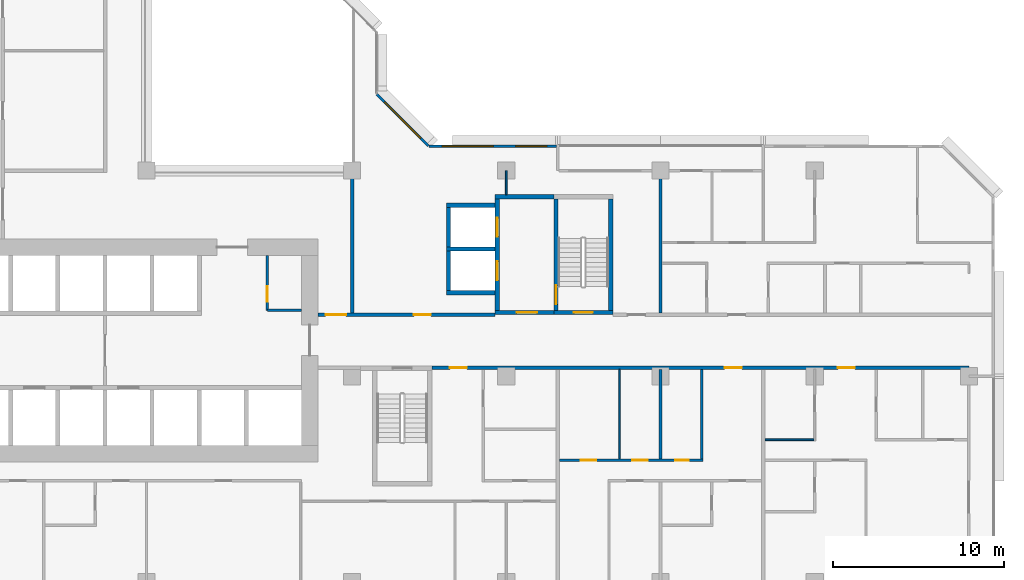
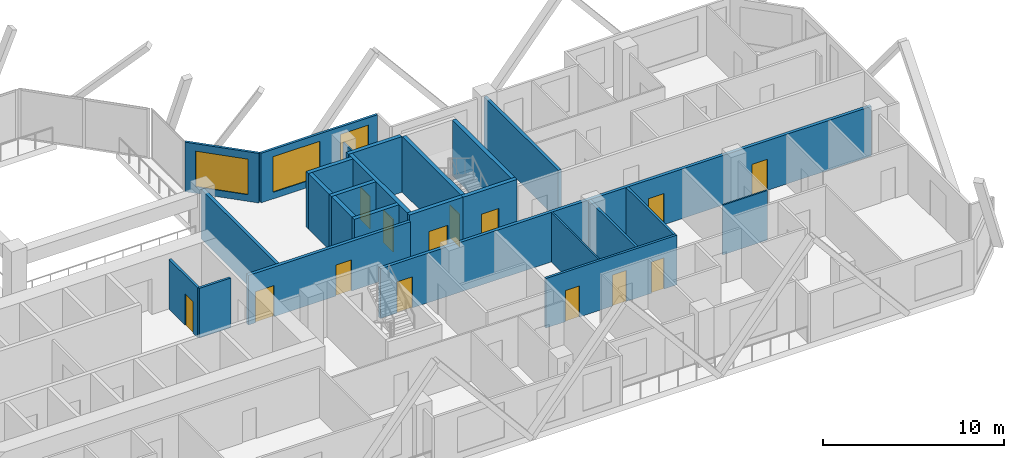
# One storey, part 7 of 15: 25 walls, 14 doors, 3 windows, 17 openings.
"""IFC4 building model written with IfcOpenShell, lengths in metres."""

from ifc_helpers import new_model, si_unit, direction, frame, frame_2d, origin, place, context, subcontext, project, spatial, rectangle, extrude, material, layer, layer_set, type_object, element, fill, save


model = new_model("IFC4")

# Units and contexts
model_context = context("Model", 3, precision=1e-05, world=origin(), true_north=direction((0.0, 1.0)))
body_context = subcontext(model_context, "Body", "Model", "MODEL_VIEW")
ifc_project = project(units=[si_unit("LENGTHUNIT", "METRE"), si_unit("AREAUNIT", "SQUARE_METRE"), si_unit("VOLUMEUNIT", "CUBIC_METRE"), si_unit("PLANEANGLEUNIT", "RADIAN"), si_unit("MASSUNIT", "GRAM", prefix="KILO")], contexts=[model_context])

# Site, building, storey
site_placement = place(None, origin())
site = spatial("IfcSite", under=ifc_project, at=site_placement, CompositionType="ELEMENT")
building_placement = place(site_placement, origin())
building = spatial("IfcBuilding", under=site, at=building_placement, Name="Chenar Terraces", CompositionType="ELEMENT")
storey_placement = place(building_placement, frame((0.0, 0.0, 106.89990234375)))
storey = spatial("IfcBuildingStorey", under=building, at=storey_placement, Name="L24", CompositionType="ELEMENT", Elevation=106.89990234375)

# Wall, opening, door
ifc_material_1 = material(Name="Gypsum board on steel studs", Category="steel")
ifc_layer_1 = layer(ifc_material_1, 0.14990234375)
ifc_layer_set_1 = layer_set([ifc_layer_1], Name="Gypsum board on steel studs")
wall_type_1 = type_object("IfcWallType", Name="Core partition 150 gypsum board", PredefinedType="PARTITIONING", material=ifc_layer_set_1)
wall_1_placement = place(storey_placement, frame((31.050048828125, 15.85009765625, 0.0), z_axis=(0.0, 0.0, 1.0), x_axis=(0.0, 1.0, 0.0)))
wall_1 = element("IfcWall", 1, at=wall_1_placement, inside=storey, type_object=wall_type_1, Name="Core partition CP1 vestibule room west wall", PredefinedType="PARTITIONING", context=body_context, shape_type="SweptSolid", body=[
    extrude(rectangle(XDim=3.199951171875, YDim=0.14990234375, at=frame_2d((1.60009765625, 0.0))), origin(), (0.0, 0.0, 1.0), 3.35009765625),
])
opening_1_placement = place(wall_1_placement, frame((0.5, 0.0, 0.0)))
opening_1 = element("IfcOpeningElement", 2, at=opening_1_placement, cuts=wall_1, Name="Opening DL24-C13", PredefinedType="OPENING", context=body_context, shape_type="SweptSolid", body=[
    extrude(rectangle(XDim=0.89990234375, YDim=2.10009765625, at=frame_2d((0.449951171875, 1.050048828125))), frame((0.0, 0.0849609375, 0.0), z_axis=(0.0, -1.0, 0.0), x_axis=(1.0, 0.0, 0.0)), (0.0, 0.0, 1.0), 0.169921875),
])
ifc_material_2 = material(Name="Steel-framed fire-resisting door leaf", Category="steel")
door_type_1 = type_object("IfcDoorType", Name="Riser fire door FD60 900 x 2100", OperationType="SINGLE_SWING_LEFT", PredefinedType="DOOR", material=ifc_material_2)
door_1_placement = place(opening_1_placement, frame((0.89990234375, 0.0, 0.0), z_axis=(0.0, 0.0, 1.0), x_axis=(-1.0, 0.0, 0.0)))
door_1 = element("IfcDoor", 3, at=door_1_placement, inside=storey, type_object=door_type_1, Name="Core room door DL24-C13", OperationType="SINGLE_SWING_RIGHT", OverallHeight=2.10009765625, OverallWidth=0.89990234375, PredefinedType="DOOR", context=body_context, shape_type="SweptSolid", body=[
    extrude(rectangle(XDim=0.89990234375, YDim=2.10009765625, at=frame_2d((0.449951171875, 1.050048828125))), frame((0.0, 0.02490234375, 0.0), z_axis=(0.0, -1.0, 0.0), x_axis=(1.0, 0.0, 0.0)), (0.0, 0.0, 1.0), 0.050048828125),
])
fill(opening_1, door_1)

# Wall
wall_2_placement = place(storey_placement, frame((31.050048828125, 15.85009765625, 0.0), z_axis=(0.0, 0.0, 1.0), x_axis=(1.0, 0.0, 0.0)))
element("IfcWall", 4, at=wall_2_placement, inside=storey, type_object=wall_type_1, Name="Core partition CP1 vestibule room south wall", PredefinedType="PARTITIONING", context=body_context, shape_type="SweptSolid", body=[
    extrude(rectangle(XDim=2.0, YDim=0.14990234375, at=frame_2d((1.0, 0.0))), origin(), (0.0, 0.0, 1.0), 3.35009765625),
])

# Wall, opening, door
ifc_material_3 = material(Name="Concrete C70/85", Category="concrete")
ifc_layer_2 = layer(ifc_material_3, 0.25)
ifc_layer_set_2 = layer_set([ifc_layer_2], Name="Concrete C70/85")
wall_type_2 = type_object("IfcWallType", Name="Core wall 250 Concrete C70/85", PredefinedType="SHEAR", material=ifc_layer_set_2)
wall_3_placement = place(storey_placement, frame((47.77490234375, 15.72509765625, 0.0), z_axis=(0.0, 0.0, 1.0), x_axis=(1.0, 0.0, 0.0)))
wall_3 = element("IfcWall", 5, at=wall_3_placement, inside=storey, type_object=wall_type_2, Name="Core wall ST3_S L24", PredefinedType="SHEAR", context=body_context, shape_type="SweptSolid", body=[
    extrude(rectangle(XDim=3.4501953125, YDim=0.25, at=frame_2d((1.72509765625, 0.0))), origin(), (0.0, 0.0, 1.0), 3.75),
])
opening_2_placement = place(wall_3_placement, frame((1.175048828125, 0.0, 0.0)))
opening_2 = element("IfcOpeningElement", 6, at=opening_2_placement, cuts=wall_3, Name="Opening DL24-C8", PredefinedType="OPENING", context=body_context, shape_type="SweptSolid", body=[
    extrude(rectangle(XDim=1.10009765625, YDim=2.199951171875, at=frame_2d((0.550048828125, 1.10009765625))), frame((0.0, 0.135009765625, 0.0), z_axis=(0.0, -1.0, 0.0), x_axis=(1.0, 0.0, 0.0)), (0.0, 0.0, 1.0), 0.27001953125),
])
ifc_material_4 = material(Name="Steel-framed fire-resisting door leaf", Category="steel")
door_type_2 = type_object("IfcDoorType", Name="Stair fire door FD60 1100 x 2200", OperationType="SINGLE_SWING_LEFT", PredefinedType="DOOR", material=ifc_material_4)
door_2_placement = place(opening_2_placement, frame((1.10009765625, 0.0, 0.0), z_axis=(0.0, 0.0, 1.0), x_axis=(-1.0, 0.0, 0.0)))
door_2 = element("IfcDoor", 7, at=door_2_placement, inside=storey, type_object=door_type_2, Name="Stair door DL24-C8", OperationType="SINGLE_SWING_LEFT", OverallHeight=2.199951171875, OverallWidth=1.10009765625, PredefinedType="DOOR", context=body_context, shape_type="SweptSolid", body=[
    extrude(rectangle(XDim=1.10009765625, YDim=2.199951171875, at=frame_2d((0.550048828125, 1.10009765625))), frame((0.0, 0.02490234375, 0.0), z_axis=(0.0, -1.0, 0.0), x_axis=(1.0, 0.0, 0.0)), (0.0, 0.0, 1.0), 0.050048828125),
])
fill(opening_2, door_2)

wall_4_placement = place(storey_placement, frame((47.89990234375, 15.85009765625, 0.0), z_axis=(0.0, 0.0, 1.0), x_axis=(0.0, 1.0, 0.0)))
wall_4 = element("IfcWall", 8, at=wall_4_placement, inside=storey, type_object=wall_type_2, Name="Core wall ST3_W L24", PredefinedType="SHEAR", context=body_context, shape_type="SweptSolid", body=[
    extrude(rectangle(XDim=6.5, YDim=0.25, at=frame_2d((3.25, 0.0))), origin(), (0.0, 0.0, 1.0), 3.75),
])
opening_3_placement = place(wall_4_placement, frame((0.35009765625, 0.0, 0.0)))
opening_3 = element("IfcOpeningElement", 9, at=opening_3_placement, cuts=wall_4, Name="Opening DL24-C11", PredefinedType="OPENING", context=body_context, shape_type="SweptSolid", body=[
    extrude(rectangle(XDim=1.10009765625, YDim=2.199951171875, at=frame_2d((0.550048828125, 1.10009765625))), frame((0.0, 0.135009765625, 0.0), z_axis=(0.0, -1.0, 0.0), x_axis=(1.0, 0.0, 0.0)), (0.0, 0.0, 1.0), 0.27001953125),
])
door_3_placement = place(opening_3_placement, frame((1.10009765625, 0.0, 0.0), z_axis=(0.0, 0.0, 1.0), x_axis=(-1.0, 0.0, 0.0)))
door_3 = element("IfcDoor", 10, at=door_3_placement, inside=storey, type_object=door_type_2, Name="Stair door DL24-C11", OperationType="SINGLE_SWING_RIGHT", OverallHeight=2.199951171875, OverallWidth=1.10009765625, PredefinedType="DOOR", context=body_context, shape_type="SweptSolid", body=[
    extrude(rectangle(XDim=1.10009765625, YDim=2.199951171875, at=frame_2d((0.550048828125, 1.10009765625))), frame((0.0, 0.02490234375, 0.0), z_axis=(0.0, -1.0, 0.0), x_axis=(1.0, 0.0, 0.0)), (0.0, 0.0, 1.0), 0.050048828125),
])
fill(opening_3, door_3)

# Wall
wall_5_placement = place(storey_placement, frame((51.10009765625, 15.85009765625, 0.0), z_axis=(0.0, 0.0, 1.0), x_axis=(0.0, 1.0, 0.0)))
element("IfcWall", 11, at=wall_5_placement, inside=storey, type_object=wall_type_2, Name="Core wall ST3_E L24", PredefinedType="SHEAR", context=body_context, shape_type="SweptSolid", body=[
    extrude(rectangle(XDim=6.5, YDim=0.25, at=frame_2d((3.25, 0.0))), origin(), (0.0, 0.0, 1.0), 3.75),
])

# Wall, opening, door
wall_6_placement = place(storey_placement, frame((44.35009765625, 15.72509765625, 0.0), z_axis=(0.0, 0.0, 1.0), x_axis=(1.0, 0.0, 0.0)))
wall_6 = element("IfcWall", 12, at=wall_6_placement, inside=storey, type_object=wall_type_2, Name="Core wall F3_LS L24", PredefinedType="SHEAR", context=body_context, shape_type="SweptSolid", body=[
    extrude(rectangle(XDim=3.4248046875, YDim=0.25, at=frame_2d((1.71240234375, 0.0))), origin(), (0.0, 0.0, 1.0), 3.75),
])
opening_4_placement = place(wall_6_placement, frame((1.25, 0.0, 0.0)))
opening_4 = element("IfcOpeningElement", 13, at=opening_4_placement, cuts=wall_6, Name="Opening DL24-C10", PredefinedType="OPENING", context=body_context, shape_type="SweptSolid", body=[
    extrude(rectangle(XDim=1.199951171875, YDim=2.199951171875, at=frame_2d((0.60009765625, 1.10009765625))), frame((0.0, 0.135009765625, 0.0), z_axis=(0.0, -1.0, 0.0), x_axis=(1.0, 0.0, 0.0)), (0.0, 0.0, 1.0), 0.27001953125),
])
ifc_material_5 = material(Name="Steel-framed fire-resisting door leaf", Category="steel")
door_type_3 = type_object("IfcDoorType", Name="Lobby fire door FD60 1200 x 2200", OperationType="SINGLE_SWING_LEFT", PredefinedType="DOOR", material=ifc_material_5)
door_4_placement = place(opening_4_placement, origin())
door_4 = element("IfcDoor", 14, at=door_4_placement, inside=storey, type_object=door_type_3, Name="Core door DL24-C10", OperationType="SINGLE_SWING_RIGHT", OverallHeight=2.199951171875, OverallWidth=1.199951171875, PredefinedType="DOOR", context=body_context, shape_type="SweptSolid", body=[
    extrude(rectangle(XDim=1.199951171875, YDim=2.199951171875, at=frame_2d((0.60009765625, 1.10009765625))), frame((0.0, 0.02490234375, 0.0), z_axis=(0.0, -1.0, 0.0), x_axis=(1.0, 0.0, 0.0)), (0.0, 0.0, 1.0), 0.050048828125),
])
fill(opening_4, door_4)

# Wall
wall_7_placement = place(storey_placement, frame((44.35009765625, 22.47509765625, 0.0), z_axis=(0.0, 0.0, 1.0), x_axis=(1.0, 0.0, 0.0)))
element("IfcWall", 15, at=wall_7_placement, inside=storey, type_object=wall_type_2, Name="Core wall F3_LN L24", PredefinedType="SHEAR", context=body_context, shape_type="SweptSolid", body=[
    extrude(rectangle(XDim=3.4248046875, YDim=0.25, at=frame_2d((1.71240234375, 0.0))), origin(), (0.0, 0.0, 1.0), 3.75),
])

# Wall, openings, doors
wall_8_placement = place(storey_placement, frame((44.47509765625, 15.85009765625, 0.0), z_axis=(0.0, 0.0, 1.0), x_axis=(0.0, 1.0, 0.0)))
wall_8 = element("IfcWall", 16, at=wall_8_placement, inside=storey, type_object=wall_type_2, Name="Core wall F3_LW L24", PredefinedType="SHEAR", context=body_context, shape_type="SweptSolid", body=[
    extrude(rectangle(XDim=6.5, YDim=0.25, at=frame_2d((3.25, 0.0))), origin(), (0.0, 0.0, 1.0), 3.75),
])
opening_5_placement = place(wall_8_placement, frame((1.75, 0.0, 0.0)))
opening_5 = element("IfcOpeningElement", 17, at=opening_5_placement, cuts=wall_8, Name="Opening DL24-LD8", PredefinedType="OPENING", context=body_context, shape_type="SweptSolid", body=[
    extrude(rectangle(XDim=1.10009765625, YDim=2.199951171875, at=frame_2d((0.550048828125, 1.10009765625))), frame((0.0, 0.135009765625, 0.0), z_axis=(0.0, -1.0, 0.0), x_axis=(1.0, 0.0, 0.0)), (0.0, 0.0, 1.0), 0.27001953125),
])
opening_6_placement = place(wall_8_placement, frame((4.300048828125, 0.0, 0.0)))
opening_6 = element("IfcOpeningElement", 18, at=opening_6_placement, cuts=wall_8, Name="Opening DL24-LD9", PredefinedType="OPENING", context=body_context, shape_type="SweptSolid", body=[
    extrude(rectangle(XDim=1.10009765625, YDim=2.199951171875, at=frame_2d((0.550048828125, 1.10009765625))), frame((0.0, 0.135009765625, 0.0), z_axis=(0.0, -1.0, 0.0), x_axis=(1.0, 0.0, 0.0)), (0.0, 0.0, 1.0), 0.27001953125),
])
ifc_material_6 = material(Name="Stainless steel", Category="steel")
door_type_4 = type_object("IfcDoorType", Name="Lift landing door 1100 x 2200 sliding", OperationType="DOUBLE_DOOR_SLIDING", PredefinedType="DOOR", material=ifc_material_6)
door_5_placement = place(opening_5_placement, origin())
door_5 = element("IfcDoor", 19, at=door_5_placement, inside=storey, type_object=door_type_4, Name="Landing door F3", OperationType="DOUBLE_DOOR_SLIDING", OverallHeight=2.199951171875, OverallWidth=1.10009765625, PredefinedType="DOOR", context=body_context, shape_type="SweptSolid", body=[
    extrude(rectangle(XDim=1.10009765625, YDim=2.199951171875, at=frame_2d((0.550048828125, 1.10009765625))), frame((0.0, 0.02490234375, 0.0), z_axis=(0.0, -1.0, 0.0), x_axis=(1.0, 0.0, 0.0)), (0.0, 0.0, 1.0), 0.050048828125),
])
fill(opening_5, door_5)
door_6_placement = place(opening_6_placement, origin())
door_6 = element("IfcDoor", 20, at=door_6_placement, inside=storey, type_object=door_type_4, Name="Landing door F4", OperationType="DOUBLE_DOOR_SLIDING", OverallHeight=2.199951171875, OverallWidth=1.10009765625, PredefinedType="DOOR", context=body_context, shape_type="SweptSolid", body=[
    extrude(rectangle(XDim=1.10009765625, YDim=2.199951171875, at=frame_2d((0.550048828125, 1.10009765625))), frame((0.0, 0.02490234375, 0.0), z_axis=(0.0, -1.0, 0.0), x_axis=(1.0, 0.0, 0.0)), (0.0, 0.0, 1.0), 0.050048828125),
])
fill(opening_6, door_6)

# Walls
for number, where, z_axis, x_axis, name in (
    (21, (41.5, 16.875, 0.0), (0.0, 0.0, 1.0), (1.0, 0.0, 0.0), "Core wall F3_SS L24"),
    (22, (41.5, 19.425048828125, 0.0), (0.0, 0.0, 1.0), (1.0, 0.0, 0.0), "Core wall F3_SM L24"),
    (23, (41.5, 21.97509765625, 0.0), (0.0, 0.0, 1.0), (1.0, 0.0, 0.0), "Core wall F4_SN L24"),
):
    element("IfcWall", number, at=place(storey_placement, frame(where, z_axis=z_axis, x_axis=x_axis)), inside=storey, type_object=wall_type_2, Name=name, PredefinedType="SHEAR", context=body_context, shape_type="SweptSolid", body=[
        extrude(rectangle(XDim=2.85009765625, YDim=0.25, at=frame_2d((1.425048828125, 0.0))), origin(), (0.0, 0.0, 1.0), 3.75),
    ])
for number, where, z_axis, x_axis, name in (
    (24, (41.625, 17.0, 0.0), (0.0, 0.0, 1.0), (0.0, 1.0, 0.0), "Core wall F3_SW L24"),
    (25, (41.625, 19.550048828125, 0.0), (0.0, 0.0, 1.0), (0.0, 1.0, 0.0), "Core wall F4_SW L24"),
):
    element("IfcWall", number, at=place(storey_placement, frame(where, z_axis=z_axis, x_axis=x_axis)), inside=storey, type_object=wall_type_2, Name=name, PredefinedType="SHEAR", context=body_context, shape_type="SweptSolid", body=[
        extrude(rectangle(XDim=2.300048828125, YDim=0.25, at=frame_2d((1.14990234375, 0.0))), origin(), (0.0, 0.0, 1.0), 3.75),
    ])

# Wall, openings, doors
ifc_material_7 = material(Name="Gypsum board on steel studs with fire boards", Category="steel")
ifc_layer_3 = layer(ifc_material_7, 0.199951171875)
ifc_layer_set_3 = layer_set([ifc_layer_3], Name="Gypsum board on steel studs with fire boards")
wall_type_3 = type_object("IfcWallType", Name="Corridor wall 200", PredefinedType="PARTITIONING", material=ifc_layer_set_3)
wall_9_placement = place(storey_placement, frame((34.0, 15.60009765625, 0.0), z_axis=(0.0, 0.0, 1.0), x_axis=(1.0, 0.0, 0.0)))
wall_9 = element("IfcWall", 26, at=wall_9_placement, inside=storey, type_object=wall_type_3, Name="Partition L24-062", PredefinedType="PARTITIONING", context=body_context, shape_type="SweptSolid", body=[
    extrude(rectangle(XDim=10.35009765625, YDim=0.199951171875, at=frame_2d((5.175048828125, 0.0))), origin(), (0.0, 0.0, 1.0), 3.35009765625),
])
opening_7_placement = place(wall_9_placement, frame((5.60009765625, 0.0, 0.0)))
opening_7 = element("IfcOpeningElement", 27, at=opening_7_placement, cuts=wall_9, Name="Opening DL24-3", PredefinedType="OPENING", context=body_context, shape_type="SweptSolid", body=[
    extrude(rectangle(XDim=1.0, YDim=2.10009765625, at=frame_2d((0.5, 1.050048828125))), frame((0.0, 0.10986328125, 0.0), z_axis=(0.0, -1.0, 0.0), x_axis=(1.0, 0.0, 0.0)), (0.0, 0.0, 1.0), 0.219970703125),
])
opening_8_placement = place(wall_9_placement, frame((0.449951171875, 0.0, 0.0)))
opening_8 = element("IfcOpeningElement", 28, at=opening_8_placement, cuts=wall_9, Name="Opening DL24-46", PredefinedType="OPENING", context=body_context, shape_type="SweptSolid", body=[
    extrude(rectangle(XDim=1.199951171875, YDim=2.10009765625, at=frame_2d((0.60009765625, 1.050048828125))), frame((0.0, 0.10986328125, 0.0), z_axis=(0.0, -1.0, 0.0), x_axis=(1.0, 0.0, 0.0)), (0.0, 0.0, 1.0), 0.219970703125),
])
ifc_material_8 = material(Name="Steel-framed fire-resisting door leaf", Category="steel")
door_type_5 = type_object("IfcDoorType", Name="Fire door FD60 1000 x 2100", OperationType="SINGLE_SWING_LEFT", PredefinedType="DOOR", material=ifc_material_8)
door_7_placement = place(opening_7_placement, origin())
door_7 = element("IfcDoor", 29, at=door_7_placement, inside=storey, type_object=door_type_5, Name="Door DL24-3", OperationType="SINGLE_SWING_RIGHT", OverallHeight=2.10009765625, OverallWidth=1.0, PredefinedType="DOOR", context=body_context, shape_type="SweptSolid", body=[
    extrude(rectangle(XDim=1.0, YDim=2.10009765625, at=frame_2d((0.5, 1.050048828125))), frame((0.0, 0.02490234375, 0.0), z_axis=(0.0, -1.0, 0.0), x_axis=(1.0, 0.0, 0.0)), (0.0, 0.0, 1.0), 0.050048828125),
])
fill(opening_7, door_7)
ifc_material_9 = material(Name="Steel-framed fire-resisting door leaf", Category="steel")
door_type_6 = type_object("IfcDoorType", Name="Fire door FD60 1200 x 2100", OperationType="SINGLE_SWING_LEFT", PredefinedType="DOOR", material=ifc_material_9)
door_8_placement = place(opening_8_placement, origin())
door_8 = element("IfcDoor", 30, at=door_8_placement, inside=storey, type_object=door_type_6, Name="Door DL24-46", OperationType="SINGLE_SWING_RIGHT", OverallHeight=2.10009765625, OverallWidth=1.199951171875, PredefinedType="DOOR", context=body_context, shape_type="SweptSolid", body=[
    extrude(rectangle(XDim=1.199951171875, YDim=2.10009765625, at=frame_2d((0.60009765625, 1.050048828125))), frame((0.0, 0.02490234375, 0.0), z_axis=(0.0, -1.0, 0.0), x_axis=(1.0, 0.0, 0.0)), (0.0, 0.0, 1.0), 0.050048828125),
])
fill(opening_8, door_8)

# Wall
wall_10_placement = place(storey_placement, frame((36.0, 15.699951171875, 0.0), z_axis=(0.0, 0.0, 1.0), x_axis=(0.0, 1.0, 0.0)))
element("IfcWall", 31, at=wall_10_placement, inside=storey, type_object=wall_type_3, Name="Partition L24-063", PredefinedType="PARTITIONING", context=body_context, shape_type="SweptSolid", body=[
    extrude(rectangle(XDim=8.300048828125, YDim=0.199951171875, at=frame_2d((4.14990234375, 0.0))), origin(), (0.0, 0.0, 1.0), 3.35009765625),
])

# Wall, openings, doors
wall_11_placement = place(storey_placement, frame((40.64990234375, 12.5, 0.0), z_axis=(0.0, 0.0, 1.0), x_axis=(1.0, 0.0, 0.0)))
wall_11 = element("IfcWall", 32, at=wall_11_placement, inside=storey, type_object=wall_type_3, Name="Partition L24-064", PredefinedType="PARTITIONING", context=body_context, shape_type="SweptSolid", body=[
    extrude(rectangle(XDim=31.35009765625, YDim=0.199951171875, at=frame_2d((15.675048828125, 0.0))), origin(), (0.0, 0.0, 1.0), 3.35009765625),
])
opening_9_placement = place(wall_11_placement, frame((17.10009765625, 0.0, 0.0)))
opening_9 = element("IfcOpeningElement", 33, at=opening_9_placement, cuts=wall_11, Name="Opening DL24-18", PredefinedType="OPENING", context=body_context, shape_type="SweptSolid", body=[
    extrude(rectangle(XDim=1.0, YDim=2.10009765625, at=frame_2d((0.5, 1.050048828125))), frame((0.0, 0.10986328125, 0.0), z_axis=(0.0, -1.0, 0.0), x_axis=(1.0, 0.0, 0.0)), (0.0, 0.0, 1.0), 0.219970703125),
])
opening_10_placement = place(wall_11_placement, frame((23.699951171875, 0.0, 0.0)))
opening_10 = element("IfcOpeningElement", 34, at=opening_10_placement, cuts=wall_11, Name="Opening DL24-24", PredefinedType="OPENING", context=body_context, shape_type="SweptSolid", body=[
    extrude(rectangle(XDim=1.0, YDim=2.10009765625, at=frame_2d((0.5, 1.050048828125))), frame((0.0, 0.10986328125, 0.0), z_axis=(0.0, -1.0, 0.0), x_axis=(1.0, 0.0, 0.0)), (0.0, 0.0, 1.0), 0.219970703125),
])
opening_11_placement = place(wall_11_placement, frame((1.050048828125, 0.0, 0.0)))
opening_11 = element("IfcOpeningElement", 35, at=opening_11_placement, cuts=wall_11, Name="Opening DL24-60", PredefinedType="OPENING", context=body_context, shape_type="SweptSolid", body=[
    extrude(rectangle(XDim=1.0, YDim=2.10009765625, at=frame_2d((0.5, 1.050048828125))), frame((0.0, 0.10986328125, 0.0), z_axis=(0.0, -1.0, 0.0), x_axis=(1.0, 0.0, 0.0)), (0.0, 0.0, 1.0), 0.219970703125),
])
ifc_material_10 = material(Name="Steel-framed fire-resisting door leaf", Category="steel")
door_type_7 = type_object("IfcDoorType", Name="Fire door FD30S 1000 x 2100", OperationType="SINGLE_SWING_LEFT", PredefinedType="DOOR", material=ifc_material_10)
door_9_placement = place(opening_9_placement, frame((1.0, 0.0, 0.0), z_axis=(0.0, 0.0, 1.0), x_axis=(-1.0, 0.0, 0.0)))
door_9 = element("IfcDoor", 36, at=door_9_placement, inside=storey, type_object=door_type_7, Name="Door DL24-18", OperationType="SINGLE_SWING_LEFT", OverallHeight=2.10009765625, OverallWidth=1.0, PredefinedType="DOOR", context=body_context, shape_type="SweptSolid", body=[
    extrude(rectangle(XDim=1.0, YDim=2.10009765625, at=frame_2d((0.5, 1.050048828125))), frame((0.0, 0.02490234375, 0.0), z_axis=(0.0, -1.0, 0.0), x_axis=(1.0, 0.0, 0.0)), (0.0, 0.0, 1.0), 0.050048828125),
])
fill(opening_9, door_9)
door_10_placement = place(opening_10_placement, frame((1.0, 0.0, 0.0), z_axis=(0.0, 0.0, 1.0), x_axis=(-1.0, 0.0, 0.0)))
door_10 = element("IfcDoor", 37, at=door_10_placement, inside=storey, type_object=door_type_7, Name="Door DL24-24", OperationType="SINGLE_SWING_RIGHT", OverallHeight=2.10009765625, OverallWidth=1.0, PredefinedType="DOOR", context=body_context, shape_type="SweptSolid", body=[
    extrude(rectangle(XDim=1.0, YDim=2.10009765625, at=frame_2d((0.5, 1.050048828125))), frame((0.0, 0.02490234375, 0.0), z_axis=(0.0, -1.0, 0.0), x_axis=(1.0, 0.0, 0.0)), (0.0, 0.0, 1.0), 0.050048828125),
])
fill(opening_10, door_10)
door_11_placement = place(opening_11_placement, origin())
door_11 = element("IfcDoor", 38, at=door_11_placement, inside=storey, type_object=door_type_7, Name="Door DL24-60", OperationType="SINGLE_SWING_RIGHT", OverallHeight=2.10009765625, OverallWidth=1.0, PredefinedType="DOOR", context=body_context, shape_type="SweptSolid", body=[
    extrude(rectangle(XDim=1.0, YDim=2.10009765625, at=frame_2d((0.5, 1.050048828125))), frame((0.0, 0.02490234375, 0.0), z_axis=(0.0, -1.0, 0.0), x_axis=(1.0, 0.0, 0.0)), (0.0, 0.0, 1.0), 0.050048828125),
])
fill(opening_11, door_11)

# Wall, openings, windows
ifc_material_11 = material(Name="Aluminium framed glazing", Category="aluminium")
ifc_layer_4 = layer(ifc_material_11, 0.14990234375)
ifc_layer_set_4 = layer_set([ifc_layer_4], Name="Aluminium framed glazing")
wall_type_4 = type_object("IfcWallType", Name="Glazed flush facade wall 150", PredefinedType="SOLIDWALL", material=ifc_layer_set_4)
wall_12_placement = place(storey_placement, frame((47.925048828125, 25.425048828125, 0.0), z_axis=(0.0, 0.0, 1.0), x_axis=(-1.0, 0.0, 0.0)))
wall_12 = element("IfcWall", 39, at=wall_12_placement, inside=storey, type_object=wall_type_4, Name="Glazed flush facade wall", PredefinedType="SOLIDWALL", context=body_context, shape_type="SweptSolid", body=[
    extrude(rectangle(XDim=7.425048828125, YDim=0.14990234375, at=frame_2d((3.71240234375, 0.0))), origin(), (0.0, 0.0, 1.0), 3.35009765625),
])
opening_12_placement = place(wall_12_placement, frame((0.5625, 0.0, 0.449951171875)))
opening_12 = element("IfcOpeningElement", 40, at=opening_12_placement, cuts=wall_12, Name="Opening W180x240", PredefinedType="OPENING", context=body_context, shape_type="SweptSolid", body=[
    extrude(rectangle(XDim=1.800048828125, YDim=2.39990234375, at=frame_2d((0.89990234375, 1.199951171875))), frame((0.0, 0.0849609375, 0.0), z_axis=(0.0, -1.0, 0.0), x_axis=(1.0, 0.0, 0.0)), (0.0, 0.0, 1.0), 0.169921875),
])
opening_13_placement = place(wall_12_placement, frame((3.675048828125, 0.0, 0.449951171875)))
opening_13 = element("IfcOpeningElement", 41, at=opening_13_placement, cuts=wall_12, Name="Opening W300x240", PredefinedType="OPENING", context=body_context, shape_type="SweptSolid", body=[
    extrude(rectangle(XDim=3.0, YDim=2.39990234375, at=frame_2d((1.5, 1.199951171875))), frame((0.0, 0.0849609375, 0.0), z_axis=(0.0, -1.0, 0.0), x_axis=(1.0, 0.0, 0.0)), (0.0, 0.0, 1.0), 0.169921875),
])
ifc_material_12 = material(Name="Low emissivity double glazing, aluminium frame", Category="aluminium")
window_type_1 = type_object("IfcWindowType", Name="Fixed light 1800 x 2400", PartitioningType="SINGLE_PANEL", PredefinedType="WINDOW", material=ifc_material_12)
window_1_placement = place(opening_12_placement, origin())
window_1 = element("IfcWindow", 42, at=window_1_placement, inside=storey, type_object=window_type_1, Name="Window", OverallHeight=2.39990234375, OverallWidth=1.800048828125, PartitioningType="SINGLE_PANEL", PredefinedType="WINDOW", context=body_context, shape_type="SweptSolid", body=[
    extrude(rectangle(XDim=1.800048828125, YDim=2.39990234375, at=frame_2d((0.89990234375, 1.199951171875))), frame((0.0, 0.030029296875, 0.0), z_axis=(0.0, -1.0, 0.0), x_axis=(1.0, 0.0, 0.0)), (0.0, 0.0, 1.0), 0.06005859375),
])
fill(opening_12, window_1)
ifc_material_13 = material(Name="Low emissivity double glazing, aluminium frame", Category="aluminium")
window_type_2 = type_object("IfcWindowType", Name="Fixed light 3000 x 2400", PartitioningType="SINGLE_PANEL", PredefinedType="WINDOW", material=ifc_material_13)
window_2_placement = place(opening_13_placement, origin())
window_2 = element("IfcWindow", 43, at=window_2_placement, inside=storey, type_object=window_type_2, Name="Window", OverallHeight=2.39990234375, OverallWidth=3.0, PartitioningType="SINGLE_PANEL", PredefinedType="WINDOW", context=body_context, shape_type="SweptSolid", body=[
    extrude(rectangle(XDim=3.0, YDim=2.39990234375, at=frame_2d((1.5, 1.199951171875))), frame((0.0, 0.030029296875, 0.0), z_axis=(0.0, -1.0, 0.0), x_axis=(1.0, 0.0, 0.0)), (0.0, 0.0, 1.0), 0.06005859375),
])
fill(opening_13, window_2)

# Walls
ifc_material_14 = material(Name="Gypsum board on steel studs", Category="steel")
ifc_layer_5 = layer(ifc_material_14, 0.10009765625)
ifc_layer_set_5 = layer_set([ifc_layer_5], Name="Gypsum board on steel studs")
wall_type_5 = type_object("IfcWallType", Name="Gypsum partition 100", PredefinedType="PARTITIONING", material=ifc_layer_set_5)
wall_13_placement = place(storey_placement, frame((45.0, 22.60009765625, 0.0), z_axis=(0.0, 0.0, 1.0), x_axis=(0.0, 1.0, 0.0)))
element("IfcWall", 44, at=wall_13_placement, inside=storey, type_object=wall_type_5, Name="Partition L24-070", PredefinedType="PARTITIONING", context=body_context, shape_type="SweptSolid", body=[
    extrude(rectangle(XDim=1.39990234375, YDim=0.10009765625, at=frame_2d((0.699951171875, 0.0))), origin(), (0.0, 0.0, 1.0), 3.35009765625),
])
wall_14_placement = place(storey_placement, frame((51.60009765625, 7.175048828125, 0.0), z_axis=(0.0, 0.0, 1.0), x_axis=(0.0, 1.0, 0.0)))
element("IfcWall", 45, at=wall_14_placement, inside=storey, type_object=wall_type_5, Name="Partition L24-076", PredefinedType="PARTITIONING", context=body_context, shape_type="SweptSolid", body=[
    extrude(rectangle(XDim=5.224853515625, YDim=0.10009765625, at=frame_2d((2.6123046875, 0.0))), origin(), (0.0, 0.0, 1.0), 3.35009765625),
])
wall_15_placement = place(storey_placement, frame((60.10009765625, 8.300048828125, 0.0), z_axis=(0.0, 0.0, 1.0), x_axis=(1.0, 0.0, 0.0)))
element("IfcWall", 46, at=wall_15_placement, inside=storey, type_object=wall_type_5, Name="Partition L24-091", PredefinedType="PARTITIONING", context=body_context, shape_type="SweptSolid", body=[
    extrude(rectangle(XDim=2.849853515625, YDim=0.10009765625, at=frame_2d((1.4248046875, 0.0))), origin(), (0.0, 0.0, 1.0), 3.35009765625),
])

# Wall, opening, window
ifc_material_15 = material(Name="Terracotta cladding on insulated backing", Category="masonry")
ifc_layer_6 = layer(ifc_material_15, 0.14990234375)
ifc_layer_set_6 = layer_set([ifc_layer_6], Name="Terracotta cladding on insulated backing")
wall_type_6 = type_object("IfcWallType", Name="Terracotta rainscreen wall 150", PredefinedType="SOLIDWALL", material=ifc_layer_set_6)
wall_16_placement = place(storey_placement, frame((40.447021484375, 25.447021484375, 0.0), z_axis=(0.0, 0.0, 1.0), x_axis=(-0.707106781187, 0.707106781187, 0.0)))
wall_16 = element("IfcWall", 47, at=wall_16_placement, inside=storey, type_object=wall_type_6, Name="Terracotta rainscreen wall", PredefinedType="SOLIDWALL", context=body_context, shape_type="SweptSolid", body=[
    extrude(rectangle(XDim=4.24267578125, YDim=0.14990234375, at=frame_2d((2.121337890625, 0.0))), origin(), (0.0, 0.0, 1.0), 3.35009765625),
])
opening_14_placement = place(wall_16_placement, frame((0.621337890625, 0.0, 0.449951171875)))
opening_14 = element("IfcOpeningElement", 48, at=opening_14_placement, cuts=wall_16, Name="Opening W300x240", PredefinedType="OPENING", context=body_context, shape_type="SweptSolid", body=[
    extrude(rectangle(XDim=3.0, YDim=2.39990234375, at=frame_2d((1.5, 1.199951171875))), frame((0.0, 0.0849609375, 0.0), z_axis=(0.0, -1.0, 0.0), x_axis=(1.0, 0.0, 0.0)), (0.0, 0.0, 1.0), 0.169921875),
])
window_3_placement = place(opening_14_placement, origin())
window_3 = element("IfcWindow", 49, at=window_3_placement, inside=storey, type_object=window_type_2, Name="Window", OverallHeight=2.39990234375, OverallWidth=3.0, PartitioningType="SINGLE_PANEL", PredefinedType="WINDOW", context=body_context, shape_type="SweptSolid", body=[
    extrude(rectangle(XDim=3.0, YDim=2.39990234375, at=frame_2d((1.5, 1.199951171875))), frame((0.0, 0.030029296875, 0.0), z_axis=(0.0, -1.0, 0.0), x_axis=(1.0, 0.0, 0.0)), (0.0, 0.0, 1.0), 0.06005859375),
])
fill(opening_14, window_3)

# Wall
ifc_material_16 = material(Name="Twin gypsum board on steel studs with mineral wool", Category="steel")
ifc_layer_7 = layer(ifc_material_16, 0.199951171875)
ifc_layer_set_7 = layer_set([ifc_layer_7], Name="Twin gypsum board on steel studs with mineral wool")
wall_type_7 = type_object("IfcWallType", Name="Unit demising wall 200", PredefinedType="PARTITIONING", material=ifc_layer_set_7)
wall_17_placement = place(storey_placement, frame((54.0, 15.699951171875, 0.0), z_axis=(0.0, 0.0, 1.0), x_axis=(0.0, 1.0, 0.0)))
element("IfcWall", 50, at=wall_17_placement, inside=storey, type_object=wall_type_7, Name="Partition L24-079", PredefinedType="PARTITIONING", context=body_context, shape_type="SweptSolid", body=[
    extrude(rectangle(XDim=8.22607421875, YDim=0.199951171875, at=frame_2d((4.113037109375, 0.0))), origin(), (0.0, 0.0, 1.0), 3.35009765625),
])

# Wall, openings, doors
ifc_material_17 = material(Name="Moisture-resistant gypsum board on steel studs", Category="steel")
ifc_layer_8 = layer(ifc_material_17, 0.14990234375)
ifc_layer_set_8 = layer_set([ifc_layer_8], Name="Moisture-resistant gypsum board on steel studs")
wall_type_8 = type_object("IfcWallType", Name="Wet-room partition 150", PredefinedType="PARTITIONING", material=ifc_layer_set_8)
wall_18_placement = place(storey_placement, frame((48.10009765625, 7.10009765625, 0.0), z_axis=(0.0, 0.0, 1.0), x_axis=(1.0, 0.0, 0.0)))
wall_18 = element("IfcWall", 51, at=wall_18_placement, inside=storey, type_object=wall_type_8, Name="Partition L24-072", PredefinedType="PARTITIONING", context=body_context, shape_type="SweptSolid", body=[
    extrude(rectangle(XDim=8.375, YDim=0.14990234375, at=frame_2d((4.1875, 0.0))), origin(), (0.0, 0.0, 1.0), 3.35009765625),
])
opening_15_placement = place(wall_18_placement, frame((6.75, 0.0, 0.0)))
opening_15 = element("IfcOpeningElement", 52, at=opening_15_placement, cuts=wall_18, Name="Opening DL24-13", PredefinedType="OPENING", context=body_context, shape_type="SweptSolid", body=[
    extrude(rectangle(XDim=0.800048828125, YDim=2.10009765625, at=frame_2d((0.39990234375, 1.050048828125))), frame((0.0, 0.0849609375, 0.0), z_axis=(0.0, -1.0, 0.0), x_axis=(1.0, 0.0, 0.0)), (0.0, 0.0, 1.0), 0.169921875),
])
opening_16_placement = place(wall_18_placement, frame((1.25, 0.0, 0.0)))
opening_16 = element("IfcOpeningElement", 53, at=opening_16_placement, cuts=wall_18, Name="Opening DL24-17", PredefinedType="OPENING", context=body_context, shape_type="SweptSolid", body=[
    extrude(rectangle(XDim=0.89990234375, YDim=2.10009765625, at=frame_2d((0.449951171875, 1.050048828125))), frame((0.0, 0.0849609375, 0.0), z_axis=(0.0, -1.0, 0.0), x_axis=(1.0, 0.0, 0.0)), (0.0, 0.0, 1.0), 0.169921875),
])
opening_17_placement = place(wall_18_placement, frame((4.25, 0.0, 0.0)))
opening_17 = element("IfcOpeningElement", 54, at=opening_17_placement, cuts=wall_18, Name="Opening DL24-19", PredefinedType="OPENING", context=body_context, shape_type="SweptSolid", body=[
    extrude(rectangle(XDim=0.89990234375, YDim=2.10009765625, at=frame_2d((0.449951171875, 1.050048828125))), frame((0.0, 0.0849609375, 0.0), z_axis=(0.0, -1.0, 0.0), x_axis=(1.0, 0.0, 0.0)), (0.0, 0.0, 1.0), 0.169921875),
])
ifc_material_18 = material(Name="Veneered timber door leaf", Category="wood")
door_type_8 = type_object("IfcDoorType", Name="Door 800 x 2100", OperationType="SINGLE_SWING_LEFT", PredefinedType="DOOR", material=ifc_material_18)
door_12_placement = place(opening_15_placement, origin())
door_12 = element("IfcDoor", 55, at=door_12_placement, inside=storey, type_object=door_type_8, Name="Door DL24-13", OperationType="SINGLE_SWING_RIGHT", OverallHeight=2.10009765625, OverallWidth=0.800048828125, PredefinedType="DOOR", context=body_context, shape_type="SweptSolid", body=[
    extrude(rectangle(XDim=0.800048828125, YDim=2.10009765625, at=frame_2d((0.39990234375, 1.050048828125))), frame((0.0, 0.02490234375, 0.0), z_axis=(0.0, -1.0, 0.0), x_axis=(1.0, 0.0, 0.0)), (0.0, 0.0, 1.0), 0.050048828125),
])
fill(opening_15, door_12)
ifc_material_19 = material(Name="Veneered timber door leaf", Category="wood")
door_type_9 = type_object("IfcDoorType", Name="Door 900 x 2100", OperationType="SINGLE_SWING_LEFT", PredefinedType="DOOR", material=ifc_material_19)
door_13_placement = place(opening_16_placement, origin())
door_13 = element("IfcDoor", 56, at=door_13_placement, inside=storey, type_object=door_type_9, Name="Door DL24-17", OperationType="SINGLE_SWING_LEFT", OverallHeight=2.10009765625, OverallWidth=0.89990234375, PredefinedType="DOOR", context=body_context, shape_type="SweptSolid", body=[
    extrude(rectangle(XDim=0.89990234375, YDim=2.10009765625, at=frame_2d((0.449951171875, 1.050048828125))), frame((0.0, 0.02490234375, 0.0), z_axis=(0.0, -1.0, 0.0), x_axis=(1.0, 0.0, 0.0)), (0.0, 0.0, 1.0), 0.050048828125),
])
fill(opening_16, door_13)
door_14_placement = place(opening_17_placement, origin())
door_14 = element("IfcDoor", 57, at=door_14_placement, inside=storey, type_object=door_type_9, Name="Door DL24-19", OperationType="SINGLE_SWING_RIGHT", OverallHeight=2.10009765625, OverallWidth=0.89990234375, PredefinedType="DOOR", context=body_context, shape_type="SweptSolid", body=[
    extrude(rectangle(XDim=0.89990234375, YDim=2.10009765625, at=frame_2d((0.449951171875, 1.050048828125))), frame((0.0, 0.02490234375, 0.0), z_axis=(0.0, -1.0, 0.0), x_axis=(1.0, 0.0, 0.0)), (0.0, 0.0, 1.0), 0.050048828125),
])
fill(opening_17, door_14)

# Walls
for number, where, z_axis, x_axis, name in (
    (58, (54.0, 7.175048828125, 0.0), (0.0, 0.0, 1.0), (0.0, 1.0, 0.0), "Partition L24-078"),
    (59, (56.39990234375, 7.175048828125, 0.0), (0.0, 0.0, 1.0), (0.0, 1.0, 0.0), "Partition L24-083"),
):
    element("IfcWall", number, at=place(storey_placement, frame(where, z_axis=z_axis, x_axis=x_axis)), inside=storey, type_object=wall_type_8, Name=name, PredefinedType="PARTITIONING", context=body_context, shape_type="SweptSolid", body=[
        extrude(rectangle(XDim=5.224853515625, YDim=0.14990234375, at=frame_2d((2.6123046875, 0.0))), origin(), (0.0, 0.0, 1.0), 3.35009765625),
    ])

save(model, "model.ifc")
